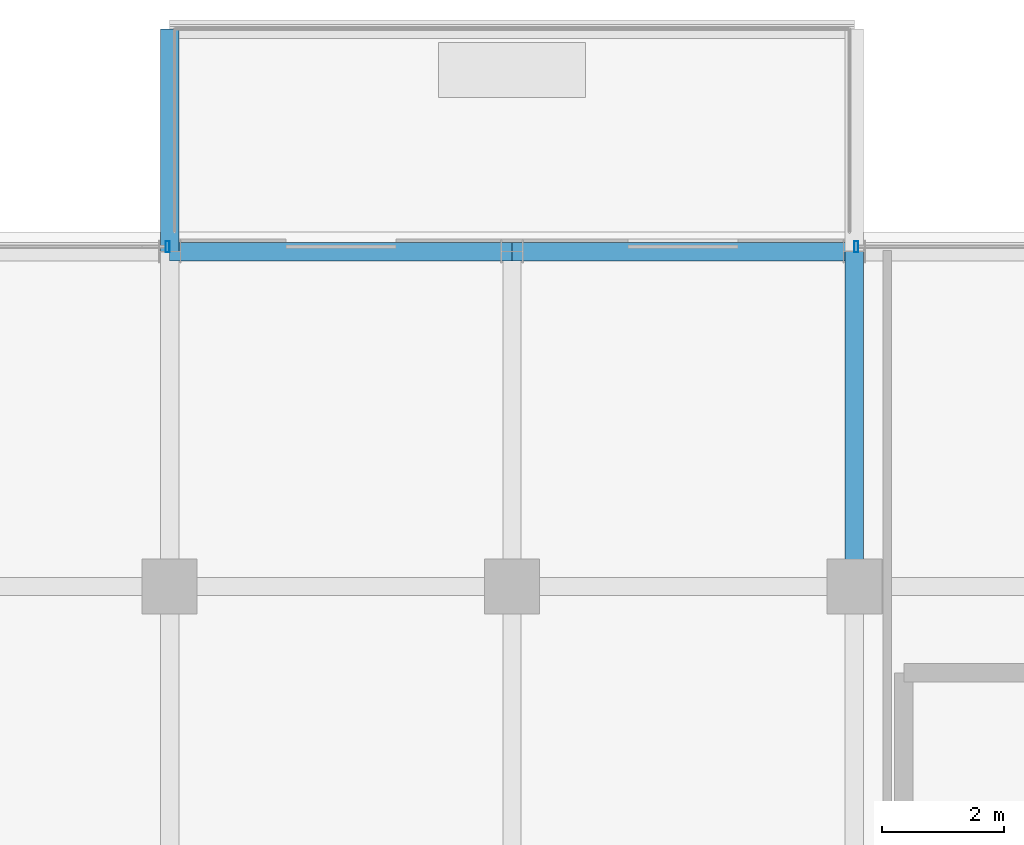
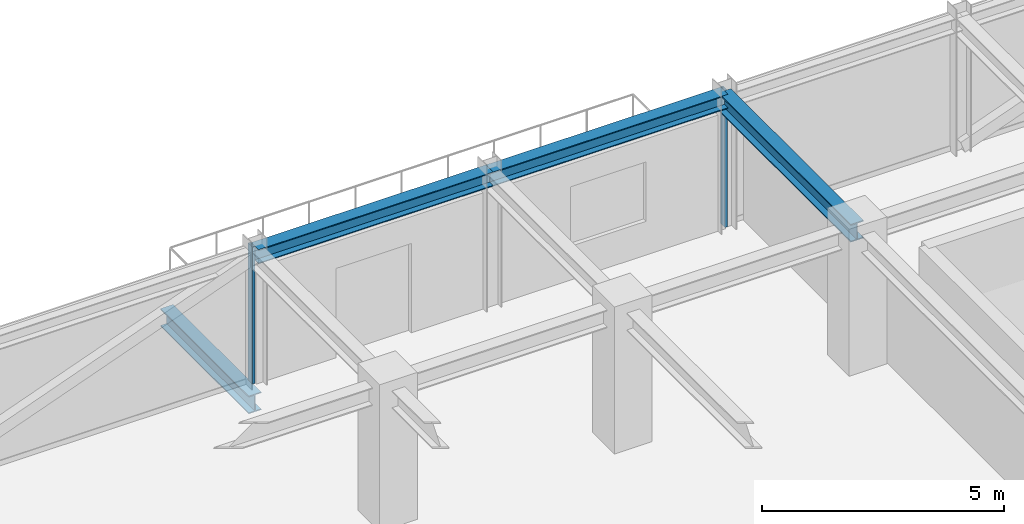
# One storey, part 21 of 36: 4 beams, 2 members, 2 elements without a shape of their own.
"""IFC4 building model written with IfcOpenShell, lengths in metres."""

from ifc_helpers import new_model, si_unit, direction, frame, origin, origin_2d, place, context, subcontext, project, spatial, hollow_rectangle, i_section, extrude, source, transform, mapped, material, material_profile, profile_set, type_object, element, aggregate, save


model = new_model("IFC4")

# Units and contexts
model_context = context("Model", 3, precision=1e-05, world=origin(), true_north=direction((0.0, 1.0)))
body_context = subcontext(model_context, "Body", "Model", "MODEL_VIEW")
ifc_project = project(units=[si_unit("LENGTHUNIT", "METRE"), si_unit("AREAUNIT", "SQUARE_METRE"), si_unit("VOLUMEUNIT", "CUBIC_METRE"), si_unit("PLANEANGLEUNIT", "RADIAN"), si_unit("MASSUNIT", "GRAM", prefix="KILO")], contexts=[model_context])

# Site, building, storey
site_placement = place(None, origin())
site = spatial("IfcSite", under=ifc_project, at=site_placement, CompositionType="ELEMENT")
building_placement = place(site_placement, origin())
building = spatial("IfcBuilding", under=site, at=building_placement, Name="Nahalor Promenade Grand Hotel", CompositionType="ELEMENT")
storey_placement = place(building_placement, frame((0.0, 0.0, 273.800048828125)))
storey = spatial("IfcBuildingStorey", under=building, at=storey_placement, Name="L70", CompositionType="ELEMENT", Elevation=273.800048828125)

# Beams
ifc_material_1 = material(Name="Steel S355JR", Category="steel")
ifc_material_profile_1 = material_profile(ifc_material_1, i_section(OverallWidth=0.3, OverallDepth=0.45, WebThickness=0.014, FlangeThickness=0.026, at=origin_2d()), Name="HEB 450")
ifc_profile_set_1 = profile_set([ifc_material_profile_1], Name="Steel S355JR")
beam_type_1 = type_object("IfcBeamType", Name="Beam-Outrigger-HEB450", PredefinedType="BEAM", material=ifc_profile_set_1)
shared_shape_1 = source(origin(), body_context, "Body", "SweptSolid", [
    extrude(i_section(OverallWidth=0.3, OverallDepth=0.45, WebThickness=0.014, FlangeThickness=0.026, at=origin_2d()), origin(), (0.0, 0.0, 1.0), 3.64013671875),
])
beam_1_placement = place(storey_placement, frame((-8.39990234375, 22.47998046875, -0.505126953125), z_axis=(0.0, 1.0, 0.0), x_axis=(-1.0, 0.0, 0.0)))
element("IfcBeam", 1, at=beam_1_placement, inside=storey, type_object=beam_type_1, Name="BM-L70-BC-01-1", PredefinedType="BEAM", context=body_context, shape_type="MappedRepresentation", body=[
    mapped(shared_shape_1, transform((0.0, 0.0, 0.0), scale=1.0)),
])
ifc_material_profile_2 = material_profile(ifc_material_1, i_section(OverallWidth=0.3, OverallDepth=0.45, WebThickness=0.014, FlangeThickness=0.026, at=origin_2d()), Name="HEB 450")
ifc_profile_set_2 = profile_set([ifc_material_profile_2], Name="Steel S355JR")
beam_type_2 = type_object("IfcBeamType", Name="Beam-Girder-HEB450", PredefinedType="BEAM", material=ifc_profile_set_2)
shared_shape_2 = source(origin(), body_context, "Body", "SweptSolid", [
    extrude(i_section(OverallWidth=0.3, OverallDepth=0.45, WebThickness=0.014, FlangeThickness=0.026, at=origin_2d()), origin(), (0.0, 0.0, 1.0), 5.47998046875),
])
beam_2_placement = place(storey_placement, frame((2.800048828125, 17.0, 3.224853515625), z_axis=(0.0, 1.0, 0.0), x_axis=(-1.0, 0.0, 0.0)))
element("IfcBeam", 2, at=beam_2_placement, inside=storey, type_object=beam_type_2, Name="BM-L70-GY-3-4", PredefinedType="BEAM", context=body_context, shape_type="MappedRepresentation", body=[
    mapped(shared_shape_2, transform((0.0, 0.0, 0.0), scale=1.0)),
])
ifc_material_profile_3 = material_profile(ifc_material_1, i_section(OverallWidth=0.3, OverallDepth=0.36, WebThickness=0.0125, FlangeThickness=0.0225, at=origin_2d()), Name="HEB 360")
ifc_profile_set_3 = profile_set([ifc_material_profile_3], Name="Steel S355JR")
beam_type_3 = type_object("IfcBeamType", Name="Beam-Spandrel-HEB360", PredefinedType="SPANDREL", material=ifc_profile_set_3)
shared_shape_3 = source(origin(), body_context, "Body", "SweptSolid", [
    extrude(i_section(OverallWidth=0.3, OverallDepth=0.36, WebThickness=0.0125, FlangeThickness=0.0225, at=origin_2d()), origin(), (0.0, 0.0, 1.0), 5.599853515625),
])
beam_3_placement = place(storey_placement, frame((-8.39990234375, 22.47998046875, 3.27001953125), z_axis=(1.0, 0.0, 0.0), x_axis=(0.0, 1.0, 0.0)))
element("IfcBeam", 3, at=beam_3_placement, inside=storey, type_object=beam_type_3, Name="BM-L70-SP-N-1", PredefinedType="SPANDREL", context=body_context, shape_type="MappedRepresentation", body=[
    mapped(shared_shape_3, transform((0.0, 0.0, 0.0), scale=1.0)),
])
shared_shape_4 = source(origin(), body_context, "Body", "SweptSolid", [
    extrude(i_section(OverallWidth=0.3, OverallDepth=0.36, WebThickness=0.0125, FlangeThickness=0.0225, at=origin_2d()), origin(), (0.0, 0.0, 1.0), 5.60009765625),
])
beam_4_placement = place(storey_placement, frame((-2.800048828125, 22.47998046875, 3.27001953125), z_axis=(1.0, 0.0, 0.0), x_axis=(0.0, 1.0, 0.0)))
element("IfcBeam", 4, at=beam_4_placement, inside=storey, type_object=beam_type_3, Name="BM-L70-SP-N-2", PredefinedType="SPANDREL", context=body_context, shape_type="MappedRepresentation", body=[
    mapped(shared_shape_4, transform((0.0, 0.0, 0.0), scale=1.0)),
])

# Curtain wall, member
ifc_material_2 = material(Name="Anodised Bronze Aluminium EN AW-6063 T6", Category="aluminium")
curtain_wall_type = type_object("IfcCurtainWallType", Name="CW2 Typical Hotel Flush Bronze Unitised Curtain Wall", PredefinedType="USERDEFINED", material=ifc_material_2)
curtain_wall_1_placement = place(storey_placement, origin())
curtain_wall_1 = element("IfcCurtainWall", 5, at=curtain_wall_1_placement, inside=storey, type_object=curtain_wall_type, Name="L70 Curtain Wall CW-L70-N-1", ObjectType="UNITISED_CURTAIN_WALL", PredefinedType="USERDEFINED")
ifc_material_profile_4 = material_profile(ifc_material_2, hollow_rectangle(XDim=0.065, YDim=0.18, WallThickness=0.004, at=origin_2d()), Name="CWM 65x180x4")
ifc_profile_set_4 = profile_set([ifc_material_profile_4], Name="Anodised Bronze Aluminium EN AW-6063 T6")
member_type = type_object("IfcMemberType", Name="CWM2 Typical Bronze Mullion 65x180", PredefinedType="MULLION", material=ifc_profile_set_4)
shared_shape_5 = source(origin(), body_context, "Body", "SweptSolid", [
    extrude(hollow_rectangle(XDim=0.065, YDim=0.18, WallThickness=0.004, at=origin_2d()), origin(), (0.0, 0.0, 1.0), 3.449951171875),
])
member_1_placement = place(storey_placement, frame((-8.4326171875, 22.56005859375, 0.0), z_axis=(0.0, 0.0, 1.0), x_axis=(1.0, 0.0, 0.0)))
member_1 = element("IfcMember", 6, at=member_1_placement, type_object=member_type, Name="CW-L70-N-1 Mullion 1", PredefinedType="MULLION", context=body_context, shape_type="MappedRepresentation", body=[
    mapped(shared_shape_5, transform((0.0, 0.0, 0.0), scale=1.0)),
])
aggregate(curtain_wall_1, [member_1])

curtain_wall_2_placement = place(storey_placement, origin())
curtain_wall_2 = element("IfcCurtainWall", 7, at=curtain_wall_2_placement, inside=storey, type_object=curtain_wall_type, Name="L70 Curtain Wall CW-L70-N-3", ObjectType="UNITISED_CURTAIN_WALL", PredefinedType="USERDEFINED")
member_2_placement = place(storey_placement, frame((2.83251953125, 22.56005859375, 0.0), z_axis=(0.0, 0.0, 1.0), x_axis=(1.0, 0.0, 0.0)))
member_2 = element("IfcMember", 8, at=member_2_placement, type_object=member_type, Name="CW-L70-N-3 Mullion 0", PredefinedType="MULLION", context=body_context, shape_type="MappedRepresentation", body=[
    mapped(shared_shape_5, transform((0.0, 0.0, 0.0), scale=1.0)),
])
aggregate(curtain_wall_2, [member_2])

save(model, "model.ifc")
